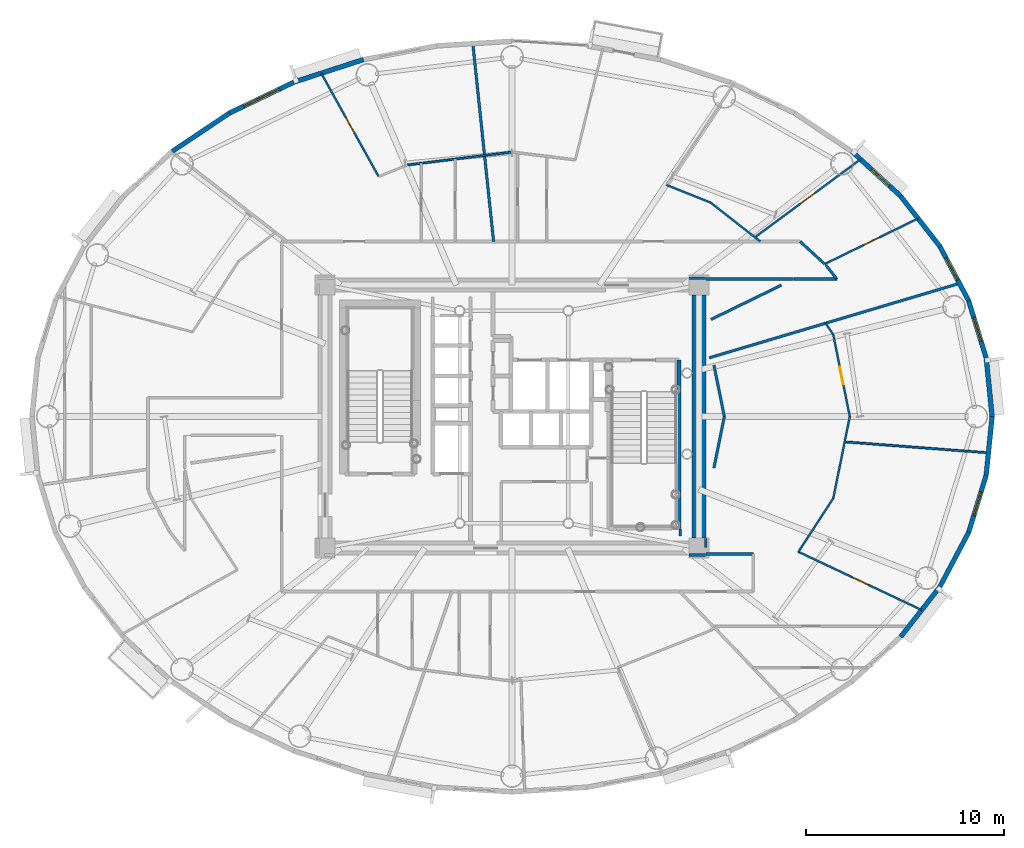
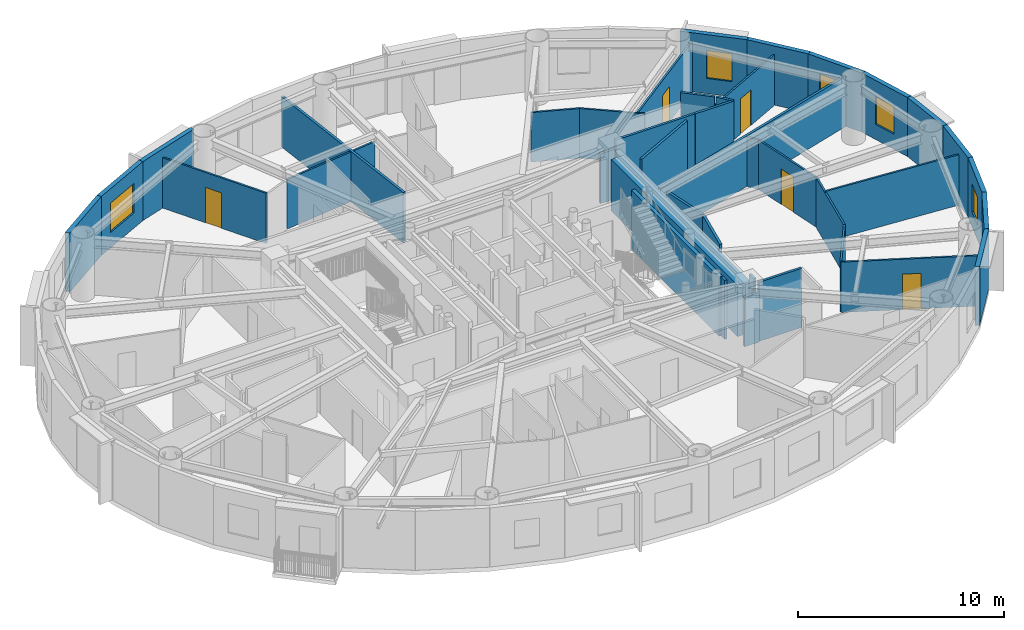
# One storey, part 12 of 20: 40 walls, 5 doors, 5 windows, 10 openings.
"""IFC4 building model written with IfcOpenShell, lengths in metres."""

from ifc_helpers import new_model, si_unit, direction, frame, frame_2d, origin, origin_2d, place, context, subcontext, project, spatial, rectangle, extrude, source, transform, mapped, material, layer, layer_set, type_object, element, fill, save


model = new_model("IFC4")

# Units and contexts
model_context = context("Model", 3, precision=1e-05, world=origin(), true_north=direction((0.0, 1.0)))
body_context = subcontext(model_context, "Body", "Model", "MODEL_VIEW")
ifc_project = project(units=[si_unit("LENGTHUNIT", "METRE"), si_unit("AREAUNIT", "SQUARE_METRE"), si_unit("VOLUMEUNIT", "CUBIC_METRE"), si_unit("PLANEANGLEUNIT", "RADIAN"), si_unit("MASSUNIT", "GRAM", prefix="KILO")], contexts=[model_context])

# Site, building, storey
site_placement = place(None, origin())
site = spatial("IfcSite", under=ifc_project, at=site_placement, CompositionType="ELEMENT")
building_placement = place(site_placement, origin())
building = spatial("IfcBuilding", under=site, at=building_placement, Name="Linh Dai School and Residence Tower", CompositionType="ELEMENT")
storey_placement = place(building_placement, frame((0.0, 0.0, 232.800048828125)))
storey = spatial("IfcBuildingStorey", under=building, at=storey_placement, Name="L57", CompositionType="ELEMENT", Elevation=232.800048828125)

# Wall
ifc_material_1 = material(Name="Precast Concrete B45 (C35/45)", Category="concrete")
ifc_layer_1 = layer(ifc_material_1, 0.239990234375)
ifc_layer_set_1 = layer_set([ifc_layer_1], Name="Precast Concrete B45 (C35/45)")
wall_type_1 = type_object("IfcWallType", Name="EW-TC-240", PredefinedType="SOLIDWALL", material=ifc_layer_set_1)
wall_1_placement = place(storey_placement, frame((59.97705078125, 29.9638671875, 0.0), z_axis=(0.0, 0.0, 1.0), x_axis=(0.099990595253, -0.994988382274, 0.0)))
element("IfcWall", 1, at=wall_1_placement, inside=storey, type_object=wall_type_1, Name="L57 Terracotta Exterior Wall 01", PredefinedType="SOLIDWALL", context=body_context, shape_type="SweptSolid", body=[
    extrude(rectangle(XDim=2.978759765625, YDim=0.239990234375, at=frame_2d((1.4892578125, 0.0))), origin(), (0.0, 0.0, 1.0), 3.5),
])

# Wall, opening, window
wall_2_placement = place(storey_placement, frame((59.09033203125, 32.85595703125, 0.0), z_axis=(0.0, 0.0, 1.0), x_axis=(0.293132907334, -0.95607170162, 0.0)))
wall_2 = element("IfcWall", 2, at=wall_2_placement, inside=storey, type_object=wall_type_1, Name="L57 Terracotta Exterior Wall 02", PredefinedType="SOLIDWALL", context=body_context, shape_type="SweptSolid", body=[
    extrude(rectangle(XDim=3.02490234375, YDim=0.239990234375, at=frame_2d((1.512451171875, 0.0))), origin(), (0.0, 0.0, 1.0), 3.5),
])
opening_1_placement = place(wall_2_placement, frame((0.887451171875, 0.0, 0.89990234375)))
opening_1 = element("IfcOpeningElement", 3, at=opening_1_placement, cuts=wall_2, Name="Opening W3", PredefinedType="OPENING", context=body_context, shape_type="SweptSolid", body=[
    extrude(rectangle(XDim=1.25, YDim=1.64990234375, at=origin_2d()), frame((0.625, 0.1298828125, 0.824951171875), z_axis=(0.0, -1.0, 0.0), x_axis=(1.0, 0.0, 0.0)), (0.0, 0.0, 1.0), 0.260009765625),
])
ifc_material_2 = material(Name="Double Low-E Insulated Glazing", Category="glass")
window_type_1 = type_object("IfcWindowType", Name="WN-RES-1250x1650", PartitioningType="SINGLE_PANEL", PredefinedType="WINDOW", material=ifc_material_2)
shared_shape_1 = source(origin(), body_context, "Body", "SweptSolid", [
    extrude(rectangle(XDim=1.25, YDim=1.64990234375, at=origin_2d()), frame((0.625, 0.030029296875, 0.824951171875), z_axis=(0.0, -1.0, 0.0), x_axis=(1.0, 0.0, 0.0)), (0.0, 0.0, 1.0), 0.06005859375),
])
window_1_placement = place(opening_1_placement, origin())
window_1 = element("IfcWindow", 4, at=window_1_placement, inside=storey, type_object=window_type_1, Name="L57 Dwelling Window U5705-BD2", OverallHeight=1.64990234375, OverallWidth=1.25, PartitioningType="SINGLE_PANEL", PredefinedType="WINDOW", context=body_context, shape_type="MappedRepresentation", body=[
    mapped(shared_shape_1, transform((0.0, 0.0, 0.0), x_axis=(1.0, 0.0, 0.0), y_axis=(0.0, 1.0, 0.0), z_axis=(0.0, 0.0, 1.0), scale=1.0)),
])
fill(opening_1, window_1)

wall_3_placement = place(storey_placement, frame((57.6357421875, 35.605224609375, 0.0), z_axis=(0.0, 0.0, 1.0), x_axis=(0.46766049993, -0.883908172157, 0.0)))
wall_3 = element("IfcWall", 5, at=wall_3_placement, inside=storey, type_object=wall_type_1, Name="L57 Terracotta Exterior Wall 03", PredefinedType="SOLIDWALL", context=body_context, shape_type="SweptSolid", body=[
    extrude(rectangle(XDim=3.1103515625, YDim=0.239990234375, at=frame_2d((1.55517578125, 0.0))), origin(), (0.0, 0.0, 1.0), 3.5),
])
opening_2_placement = place(wall_3_placement, frame((0.663818359375, 0.0, 0.89990234375)))
opening_2 = element("IfcOpeningElement", 6, at=opening_2_placement, cuts=wall_3, Name="Opening W3", PredefinedType="OPENING", context=body_context, shape_type="SweptSolid", body=[
    extrude(rectangle(XDim=1.25, YDim=1.64990234375, at=origin_2d()), frame((0.625, 0.1298828125, 0.824951171875), z_axis=(0.0, -1.0, 0.0), x_axis=(1.0, 0.0, 0.0)), (0.0, 0.0, 1.0), 0.260009765625),
])
window_2_placement = place(opening_2_placement, origin())
window_2 = element("IfcWindow", 7, at=window_2_placement, inside=storey, type_object=window_type_1, Name="L57 Dwelling Window U5706-BD1", OverallHeight=1.64990234375, OverallWidth=1.25, PartitioningType="SINGLE_PANEL", PredefinedType="WINDOW", context=body_context, shape_type="MappedRepresentation", body=[
    mapped(shared_shape_1, transform((0.0, 0.0, 0.0), x_axis=(1.0, 0.0, 0.0), y_axis=(0.0, 1.0, 0.0), z_axis=(0.0, 0.0, 1.0), scale=1.0)),
])
fill(opening_2, window_2)

# Wall
wall_4_placement = place(storey_placement, frame((55.6484375, 38.14453125, 0.0), z_axis=(0.0, 0.0, 1.0), x_axis=(0.616312344705, -0.787501805562, 0.0)))
element("IfcWall", 8, at=wall_4_placement, inside=storey, type_object=wall_type_1, Name="L57 Terracotta Exterior Wall 04", PredefinedType="SOLIDWALL", context=body_context, shape_type="SweptSolid", body=[
    extrude(rectangle(XDim=3.224609375, YDim=0.239990234375, at=frame_2d((1.6123046875, 0.0))), origin(), (0.0, 0.0, 1.0), 3.5),
])

# Wall, opening, window
wall_5_placement = place(storey_placement, frame((53.17626953125, 40.410888671875, 0.0), z_axis=(0.0, 0.0, 1.0), x_axis=(0.737123922599, -0.675757591694, 0.0)))
wall_5 = element("IfcWall", 9, at=wall_5_placement, inside=storey, type_object=wall_type_1, Name="L57 Terracotta Exterior Wall 05", PredefinedType="SOLIDWALL", context=body_context, shape_type="SweptSolid", body=[
    extrude(rectangle(XDim=3.353759765625, YDim=0.239990234375, at=frame_2d((1.6767578125, 0.0))), origin(), (0.0, 0.0, 1.0), 3.5),
])
opening_3_placement = place(wall_5_placement, frame((1.3359375, 0.0, 0.89990234375)))
opening_3 = element("IfcOpeningElement", 10, at=opening_3_placement, cuts=wall_5, Name="Opening W3", PredefinedType="OPENING", context=body_context, shape_type="SweptSolid", body=[
    extrude(rectangle(XDim=1.25, YDim=1.64990234375, at=origin_2d()), frame((0.625, 0.1298828125, 0.824951171875), z_axis=(0.0, -1.0, 0.0), x_axis=(1.0, 0.0, 0.0)), (0.0, 0.0, 1.0), 0.260009765625),
])
window_3_placement = place(opening_3_placement, origin())
window_3 = element("IfcWindow", 11, at=window_3_placement, inside=storey, type_object=window_type_1, Name="L57 Exterior Window 05.1", OverallHeight=1.64990234375, OverallWidth=1.25, PartitioningType="SINGLE_PANEL", PredefinedType="WINDOW", context=body_context, shape_type="MappedRepresentation", body=[
    mapped(shared_shape_1, transform((0.0, 0.0, 0.0), x_axis=(1.0, 0.0, 0.0), y_axis=(0.0, 1.0, 0.0), z_axis=(0.0, 0.0, 1.0), scale=1.0)),
])
fill(opening_3, window_3)

# Wall
wall_6_placement = place(storey_placement, frame((24.968994140625, 43.906494140625, 0.0), z_axis=(0.0, 0.0, 1.0), x_axis=(0.951210789182, 0.308541787354, 0.0)))
element("IfcWall", 12, at=wall_6_placement, inside=storey, type_object=wall_type_1, Name="L57 Terracotta Exterior Wall 13", PredefinedType="SOLIDWALL", context=body_context, shape_type="SweptSolid", body=[
    extrude(rectangle(XDim=3.702392578125, YDim=0.239990234375, at=frame_2d((1.85107421875, 0.0))), origin(), (0.0, 0.0, 1.0), 3.5),
])

# Wall, opening, window
wall_7_placement = place(storey_placement, frame((21.719970703125, 42.34765625, 0.0), z_axis=(0.0, 0.0, 1.0), x_axis=(0.901598104751, 0.432574684313, 0.0)))
wall_7 = element("IfcWall", 13, at=wall_7_placement, inside=storey, type_object=wall_type_1, Name="L57 Terracotta Exterior Wall 14", PredefinedType="SOLIDWALL", context=body_context, shape_type="SweptSolid", body=[
    extrude(rectangle(XDim=3.603515625, YDim=0.239990234375, at=frame_2d((1.8017578125, 0.0))), origin(), (0.0, 0.0, 1.0), 3.5),
])
opening_4_placement = place(wall_7_placement, frame((0.802001953125, 0.0, 0.89990234375)))
opening_4 = element("IfcOpeningElement", 14, at=opening_4_placement, cuts=wall_7, Name="Opening W1", PredefinedType="OPENING", context=body_context, shape_type="SweptSolid", body=[
    extrude(rectangle(XDim=2.0, YDim=1.75, at=origin_2d()), frame((1.0, 0.1298828125, 0.875), z_axis=(0.0, -1.0, 0.0), x_axis=(1.0, 0.0, 0.0)), (0.0, 0.0, 1.0), 0.260009765625),
])
window_type_2 = type_object("IfcWindowType", Name="WN-RES-2000x1750", PartitioningType="DOUBLE_PANEL_VERTICAL", PredefinedType="WINDOW", material=ifc_material_2)
shared_shape_2 = source(origin(), body_context, "Body", "SweptSolid", [
    extrude(rectangle(XDim=2.0, YDim=1.75, at=origin_2d()), frame((1.0, 0.030029296875, 0.875), z_axis=(0.0, -1.0, 0.0), x_axis=(1.0, 0.0, 0.0)), (0.0, 0.0, 1.0), 0.06005859375),
])
window_4_placement = place(opening_4_placement, origin())
window_4 = element("IfcWindow", 15, at=window_4_placement, inside=storey, type_object=window_type_2, Name="L57 Exterior Window 14.1", OverallHeight=1.75, OverallWidth=2.0, PartitioningType="DOUBLE_PANEL_VERTICAL", PredefinedType="WINDOW", context=body_context, shape_type="MappedRepresentation", body=[
    mapped(shared_shape_2, transform((0.0, 0.0, 0.0), x_axis=(1.0, 0.0, 0.0), y_axis=(0.0, 1.0, 0.0), z_axis=(0.0, 0.0, 1.0), scale=1.0)),
])
fill(opening_4, window_4)

# Walls
wall_8_placement = place(storey_placement, frame((18.82373046875, 40.410888671875, 0.0), z_axis=(0.0, 0.0, 1.0), x_axis=(0.831262496074, 0.555880079352, 0.0)))
element("IfcWall", 16, at=wall_8_placement, inside=storey, type_object=wall_type_1, Name="L57 Terracotta Exterior Wall 15", PredefinedType="SOLIDWALL", context=body_context, shape_type="SweptSolid", body=[
    extrude(rectangle(XDim=3.484130859375, YDim=0.239990234375, at=frame_2d((1.7421875, 0.0))), origin(), (0.0, 0.0, 1.0), 3.5),
])
wall_9_placement = place(storey_placement, frame((57.6357421875, 18.394775390625, 0.0), z_axis=(0.0, 0.0, 1.0), x_axis=(-0.616312344705, -0.787501805562, 0.0)))
element("IfcWall", 17, at=wall_9_placement, inside=storey, type_object=wall_type_1, Name="L57 Terracotta Exterior Wall 37", PredefinedType="SOLIDWALL", context=body_context, shape_type="SweptSolid", body=[
    extrude(rectangle(XDim=3.224609375, YDim=0.239990234375, at=frame_2d((1.6123046875, 0.0))), origin(), (0.0, 0.0, 1.0), 3.5),
])
wall_10_placement = place(storey_placement, frame((59.09033203125, 21.14404296875, 0.0), z_axis=(0.0, 0.0, 1.0), x_axis=(-0.46766049993, -0.883908172157, 0.0)))
element("IfcWall", 18, at=wall_10_placement, inside=storey, type_object=wall_type_1, Name="L57 Terracotta Exterior Wall 38", PredefinedType="SOLIDWALL", context=body_context, shape_type="SweptSolid", body=[
    extrude(rectangle(XDim=3.1103515625, YDim=0.239990234375, at=frame_2d((1.55517578125, 0.0))), origin(), (0.0, 0.0, 1.0), 3.5),
])

# Wall, opening, window
wall_11_placement = place(storey_placement, frame((59.97705078125, 24.0361328125, 0.0), z_axis=(0.0, 0.0, 1.0), x_axis=(-0.293132907334, -0.95607170162, 0.0)))
wall_11 = element("IfcWall", 19, at=wall_11_placement, inside=storey, type_object=wall_type_1, Name="L57 Terracotta Exterior Wall 39", PredefinedType="SOLIDWALL", context=body_context, shape_type="SweptSolid", body=[
    extrude(rectangle(XDim=3.02490234375, YDim=0.239990234375, at=frame_2d((1.512451171875, 0.0))), origin(), (0.0, 0.0, 1.0), 3.5),
])
opening_5_placement = place(wall_11_placement, frame((0.887451171875, 0.0, 0.89990234375)))
opening_5 = element("IfcOpeningElement", 20, at=opening_5_placement, cuts=wall_11, Name="Opening W3", PredefinedType="OPENING", context=body_context, shape_type="SweptSolid", body=[
    extrude(rectangle(XDim=1.25, YDim=1.64990234375, at=origin_2d()), frame((0.625, 0.1298828125, 0.824951171875), z_axis=(0.0, -1.0, 0.0), x_axis=(1.0, 0.0, 0.0)), (0.0, 0.0, 1.0), 0.260009765625),
])
window_5_placement = place(opening_5_placement, origin())
window_5 = element("IfcWindow", 21, at=window_5_placement, inside=storey, type_object=window_type_1, Name="L57 Exterior Window 39.1", OverallHeight=1.64990234375, OverallWidth=1.25, PartitioningType="SINGLE_PANEL", PredefinedType="WINDOW", context=body_context, shape_type="MappedRepresentation", body=[
    mapped(shared_shape_1, transform((0.0, 0.0, 0.0), x_axis=(1.0, 0.0, 0.0), y_axis=(0.0, 1.0, 0.0), z_axis=(0.0, 0.0, 1.0), scale=1.0)),
])
fill(opening_5, window_5)

# Walls
wall_12_placement = place(storey_placement, frame((60.27490234375, 27.0, 0.0), z_axis=(0.0, 0.0, 1.0), x_axis=(-0.099990595253, -0.994988382274, 0.0)))
element("IfcWall", 22, at=wall_12_placement, inside=storey, type_object=wall_type_1, Name="L57 Terracotta Exterior Wall 40", PredefinedType="SOLIDWALL", context=body_context, shape_type="SweptSolid", body=[
    extrude(rectangle(XDim=2.978759765625, YDim=0.239990234375, at=frame_2d((1.4892578125, 0.0))), origin(), (0.0, 0.0, 1.0), 3.5),
])
ifc_material_3 = material(Name="Autoclaved Aerated Concrete Blockwork", Category="masonry")
ifc_layer_2 = layer(ifc_material_3, 0.135009765625)
ifc_layer_set_2 = layer_set([ifc_layer_2], Name="Autoclaved Aerated Concrete Blockwork")
wall_type_2 = type_object("IfcWallType", Name="IW-CORR-135-EI90", PredefinedType="PARTITIONING", material=ifc_layer_set_2)
wall_13_placement = place(storey_placement, frame((34.017333984375, 45.86279296875, 0.0), z_axis=(0.0, 0.0, 1.0), x_axis=(0.104537097471, -0.994520987839, 0.0)))
element("IfcWall", 23, at=wall_13_placement, inside=storey, type_object=wall_type_2, Name="L57 Interior Partition Wall 044", PredefinedType="PARTITIONING", context=body_context, shape_type="SweptSolid", body=[
    extrude(rectangle(XDim=10.068115234375, YDim=0.135009765625, at=frame_2d((5.0341796875, 0.0))), origin(), (0.0, 0.0, 1.0), 2.98486328125),
])
wall_14_placement = place(storey_placement, frame((45.800048828125, 20.050048828125, 0.0), z_axis=(0.0, 0.0, 1.0), x_axis=(1.0, 0.0, 0.0)))
element("IfcWall", 24, at=wall_14_placement, inside=storey, type_object=wall_type_2, Name="L57 Interior Partition Wall 079", PredefinedType="PARTITIONING", context=body_context, shape_type="SweptSolid", body=[
    extrude(rectangle(XDim=2.39990234375, YDim=0.135009765625, at=frame_2d((1.199951171875, 0.0))), origin(), (0.0, 0.0, 1.0), 3.5),
])
wall_15_placement = place(storey_placement, frame((45.970458984375, 29.966552734375, 0.0), z_axis=(0.0, 0.0, 1.0), x_axis=(0.958474934199, 0.285176788174, 0.0)))
element("IfcWall", 25, at=wall_15_placement, inside=storey, type_object=wall_type_2, Name="L57 Interior Partition Wall 080", PredefinedType="PARTITIONING", context=body_context, shape_type="SweptSolid", body=[
    extrude(rectangle(XDim=13.209716796875, YDim=0.135009765625, at=frame_2d((6.60498046875, 0.0))), origin(), (0.0, 0.0, 1.0), 2.98486328125),
])
wall_16_placement = place(storey_placement, frame((50.25146484375, 33.949951171875, 0.0), z_axis=(0.0, 0.0, 1.0), x_axis=(1.0, 0.0, 0.0)))
element("IfcWall", 26, at=wall_16_placement, inside=storey, type_object=wall_type_2, Name="L57 Interior Partition Wall 088", PredefinedType="PARTITIONING", context=body_context, shape_type="SweptSolid", body=[
    extrude(rectangle(XDim=2.17236328125, YDim=0.135009765625, at=frame_2d((1.086181640625, 0.0))), origin(), (0.0, 0.0, 1.0), 3.5),
])
wall_17_placement = place(storey_placement, frame((50.56787109375, 35.85009765625, 0.0), z_axis=(0.0, 0.0, 1.0), x_axis=(0.737130103714, -0.675750849202, 0.0)))
element("IfcWall", 27, at=wall_17_placement, inside=storey, type_object=wall_type_2, Name="L57 Interior Partition Wall 091", PredefinedType="PARTITIONING", context=body_context, shape_type="SweptSolid", body=[
    extrude(rectangle(XDim=1.6865234375, YDim=0.135009765625, at=frame_2d((0.84326171875, 0.0))), origin(), (0.0, 0.0, 1.0), 3.5),
])
wall_18_placement = place(storey_placement, frame((51.873779296875, 34.65283203125, 0.0), z_axis=(0.0, 0.0, 1.0), x_axis=(0.61628613448, -0.787522317429, 0.0)))
element("IfcWall", 28, at=wall_18_placement, inside=storey, type_object=wall_type_2, Name="L57 Interior Partition Wall 094", PredefinedType="PARTITIONING", context=body_context, shape_type="SweptSolid", body=[
    extrude(rectangle(XDim=0.892578125, YDim=0.135009765625, at=frame_2d((0.4462890625, 0.0))), origin(), (0.0, 0.0, 1.0), 3.5),
])
wall_19_placement = place(storey_placement, frame((44.5, 20.9599609375, 0.0), z_axis=(0.0, 0.0, 1.0), x_axis=(0.0, 1.0, 0.0)))
element("IfcWall", 29, at=wall_19_placement, inside=storey, type_object=wall_type_2, Name="L57 Interior Partition Wall 102", PredefinedType="PARTITIONING", context=body_context, shape_type="SweptSolid", body=[
    extrude(rectangle(XDim=0.360107421875, YDim=0.135009765625, at=frame_2d((0.18017578125, 0.0))), origin(), (0.0, 0.0, 1.0), 3.5),
])
wall_20_placement = place(storey_placement, frame((50.241455078125, 33.949951171875, 0.0), z_axis=(0.0, 0.0, 1.0), x_axis=(-1.0, 0.0, 0.0)))
element("IfcWall", 30, at=wall_20_placement, inside=storey, type_object=wall_type_2, Name="L57 Interior Partition Wall 105", PredefinedType="PARTITIONING", context=body_context, shape_type="SweptSolid", body=[
    extrude(rectangle(XDim=4.44140625, YDim=0.135009765625, at=frame_2d((2.220703125, 0.0))), origin(), (0.0, 0.0, 1.0), 3.5),
])
for number, where, z_axis, x_axis, name in (
    (31, (45.7900390625, 34.0, 0.0), (0.0, 0.0, 1.0), (-1.0, 0.0, 0.0), "L57 Interior Partition Wall 106"),
    (32, (44.9599609375, 20.0, 0.0), (0.0, 0.0, 1.0), (1.0, 0.0, 0.0), "L57 Interior Partition Wall 111"),
):
    element("IfcWall", number, at=place(storey_placement, frame(where, z_axis=z_axis, x_axis=x_axis)), inside=storey, type_object=wall_type_2, Name=name, PredefinedType="PARTITIONING", context=body_context, shape_type="SweptSolid", body=[
        extrude(rectangle(XDim=0.830078125, YDim=0.135009765625, at=frame_2d((0.4150390625, 0.0))), origin(), (0.0, 0.0, 1.0), 2.93505859375),
    ])
wall_21_placement = place(storey_placement, frame((45.800048828125, 20.37744140625, 0.0), z_axis=(0.0, 0.0, 1.0), x_axis=(0.0, 1.0, 0.0)))
element("IfcWall", 33, at=wall_21_placement, inside=storey, type_object=wall_type_2, Name="L57 Interior Partition Wall 115", PredefinedType="PARTITIONING", context=body_context, shape_type="SweptSolid", body=[
    extrude(rectangle(XDim=0.462646484375, YDim=0.135009765625, at=frame_2d((0.2314453125, 0.0))), origin(), (0.0, 0.0, 1.0), 3.5),
])
for number, where, z_axis, x_axis, name in (
    (34, (46.21044921875, 24.40234375, 0.0), (0.0, 0.0, 1.0), (0.198330009585, 0.980135300506, 0.0), "L57 Interior Partition Wall 116"),
    (35, (46.736083984375, 27.0, 0.0), (0.0, 0.0, 1.0), (-0.198330009585, 0.980135300506, 0.0), "L57 Interior Partition Wall 117"),
):
    element("IfcWall", number, at=place(storey_placement, frame(where, z_axis=z_axis, x_axis=x_axis)), inside=storey, type_object=wall_type_2, Name=name, PredefinedType="PARTITIONING", context=body_context, shape_type="SweptSolid", body=[
        extrude(rectangle(XDim=2.650390625, YDim=0.135009765625, at=frame_2d((1.3251953125, 0.0))), origin(), (0.0, 0.0, 1.0), 2.93505859375),
    ])
wall_22_placement = place(storey_placement, frame((46.06005859375, 31.906005859375, 0.0), z_axis=(0.0, 0.0, 1.0), x_axis=(0.898819963923, 0.438318003797, 0.0)))
element("IfcWall", 36, at=wall_22_placement, inside=storey, type_object=wall_type_2, Name="L57 Interior Partition Wall 118", PredefinedType="PARTITIONING", context=body_context, shape_type="SweptSolid", body=[
    extrude(rectangle(XDim=3.9619140625, YDim=0.135009765625, at=frame_2d((1.98095703125, 0.0))), origin(), (0.0, 0.0, 1.0), 3.5),
])
ifc_material_4 = material(Name="Concrete B45 (C35/45)", Category="concrete")
ifc_layer_3 = layer(ifc_material_4, 0.199951171875)
ifc_layer_set_3 = layer_set([ifc_layer_3], Name="Concrete B45 (C35/45)")
wall_type_3 = type_object("IfcWallType", Name="IW-SHAFT-200-EI120", PredefinedType="PARTITIONING", material=ifc_layer_set_3)
wall_23_placement = place(storey_placement, frame((44.43994140625, 21.330078125, 0.0), z_axis=(0.0, 0.0, 1.0), x_axis=(0.0, 1.0, 0.0)))
element("IfcWall", 37, at=wall_23_placement, inside=storey, type_object=wall_type_3, Name="L57 Interior Partition Wall 077", PredefinedType="PARTITIONING", context=body_context, shape_type="SweptSolid", body=[
    extrude(rectangle(XDim=8.52001953125, YDim=0.199951171875, at=frame_2d((4.260009765625, 0.0))), origin(), (0.0, 0.0, 1.0), 3.5),
])

# Wall, opening, door
ifc_material_5 = material(Name="Gypsum Plasterboard Acoustic Stud Partition", Category="masonry")
ifc_layer_4 = layer(ifc_material_5, 0.10009765625)
ifc_layer_set_4 = layer_set([ifc_layer_4], Name="Gypsum Plasterboard Acoustic Stud Partition")
wall_type_4 = type_object("IfcWallType", Name="IW-UNIT-100", PredefinedType="PARTITIONING", material=ifc_layer_set_4)
wall_24_placement = place(storey_placement, frame((26.352783203125, 44.360595703125, 0.0), z_axis=(0.0, 0.0, 1.0), x_axis=(0.485760805935, -0.874091779745, 0.0)))
wall_24 = element("IfcWall", 38, at=wall_24_placement, inside=storey, type_object=wall_type_4, Name="L57 Interior Partition Wall 024", PredefinedType="PARTITIONING", context=body_context, shape_type="SweptSolid", body=[
    extrude(rectangle(XDim=5.978759765625, YDim=0.10009765625, at=frame_2d((2.9892578125, 0.0))), origin(), (0.0, 0.0, 1.0), 2.98486328125),
])
opening_6_placement = place(wall_24_placement, frame((2.539306640625, 0.0, 0.0)))
opening_6 = element("IfcOpeningElement", 39, at=opening_6_placement, cuts=wall_24, Name="Opening D05", PredefinedType="OPENING", context=body_context, shape_type="SweptSolid", body=[
    extrude(rectangle(XDim=0.89990234375, YDim=2.10009765625, at=origin_2d()), frame((0.449951171875, 0.06005859375, 1.050048828125), z_axis=(0.0, -1.0, 0.0), x_axis=(1.0, 0.0, 0.0)), (0.0, 0.0, 1.0), 0.1201171875),
])
ifc_material_6 = material(Name="Engineered Timber Internal Door", Category="wood")
door_type = type_object("IfcDoorType", Name="DR-INT-900x2100", OperationType="NOTDEFINED", PredefinedType="DOOR", material=ifc_material_6)
shared_shape_3 = source(origin(), body_context, "Body", "SweptSolid", [
    extrude(rectangle(XDim=0.89990234375, YDim=2.10009765625, at=origin_2d()), frame((0.449951171875, 0.02490234375, 1.050048828125), z_axis=(0.0, -1.0, 0.0), x_axis=(1.0, 0.0, 0.0)), (0.0, 0.0, 1.0), 0.050048828125),
])
door_1_placement = place(opening_6_placement, origin())
door_1 = element("IfcDoor", 40, at=door_1_placement, inside=storey, type_object=door_type, Name="L57 Apartment U5701 Bedroom 1 Door", OperationType="SINGLE_SWING_LEFT", OverallHeight=2.10009765625, OverallWidth=0.89990234375, PredefinedType="DOOR", context=body_context, shape_type="MappedRepresentation", body=[
    mapped(shared_shape_3, transform((0.0, 0.0, 0.0), x_axis=(1.0, 0.0, 0.0), y_axis=(0.0, 1.0, 0.0), z_axis=(0.0, 0.0, 1.0), scale=1.0)),
])
fill(opening_6, door_1)

# Walls
wall_25_placement = place(storey_placement, frame((30.721923828125, 39.718994140625, 0.0), z_axis=(0.0, 0.0, 1.0), x_axis=(0.992397473883, 0.123074180196, 0.0)))
element("IfcWall", 41, at=wall_25_placement, inside=storey, type_object=wall_type_4, Name="L57 Interior Partition Wall 031", PredefinedType="PARTITIONING", context=body_context, shape_type="SweptSolid", body=[
    extrude(rectangle(XDim=5.318359375, YDim=0.10009765625, at=frame_2d((2.6591796875, 0.0))), origin(), (0.0, 0.0, 1.0), 2.93505859375),
])
wall_26_placement = place(storey_placement, frame((43.8125, 38.707763671875, 0.0), z_axis=(0.0, 0.0, 1.0), x_axis=(0.928806399166, -0.370565342239, 0.0)))
element("IfcWall", 42, at=wall_26_placement, inside=storey, type_object=wall_type_4, Name="L57 Interior Partition Wall 075", PredefinedType="PARTITIONING", context=body_context, shape_type="SweptSolid", body=[
    extrude(rectangle(XDim=2.3974609375, YDim=0.10009765625, at=frame_2d((1.19873046875, 0.0))), origin(), (0.0, 0.0, 1.0), 2.93505859375),
])
wall_27_placement = place(storey_placement, frame((46.039306640625, 37.8193359375, 0.0), z_axis=(0.0, 0.0, 1.0), x_axis=(0.787364681479, -0.616487516791, 0.0)))
element("IfcWall", 43, at=wall_27_placement, inside=storey, type_object=wall_type_4, Name="L57 Interior Partition Wall 082", PredefinedType="PARTITIONING", context=body_context, shape_type="SweptSolid", body=[
    extrude(rectangle(XDim=3.194580078125, YDim=0.10009765625, at=frame_2d((1.59716796875, 0.0))), origin(), (0.0, 0.0, 1.0), 2.93505859375),
])

# Wall, opening, door
wall_28_placement = place(storey_placement, frame((48.281494140625, 36.063720703125, 0.0), z_axis=(0.0, 0.0, 1.0), x_axis=(0.804612975085, 0.593799596097, 0.0)))
wall_28 = element("IfcWall", 44, at=wall_28_placement, inside=storey, type_object=wall_type_4, Name="L57 Interior Partition Wall 087", PredefinedType="PARTITIONING", context=body_context, shape_type="SweptSolid", body=[
    extrude(rectangle(XDim=6.640380859375, YDim=0.10009765625, at=frame_2d((3.3203125, 0.0))), origin(), (0.0, 0.0, 1.0), 2.98486328125),
])
opening_7_placement = place(wall_28_placement, frame((2.8701171875, 0.0, 0.0)))
opening_7 = element("IfcOpeningElement", 45, at=opening_7_placement, cuts=wall_28, Name="Opening D05", PredefinedType="OPENING", context=body_context, shape_type="SweptSolid", body=[
    extrude(rectangle(XDim=0.89990234375, YDim=2.10009765625, at=origin_2d()), frame((0.449951171875, 0.06005859375, 1.050048828125), z_axis=(0.0, -1.0, 0.0), x_axis=(1.0, 0.0, 0.0)), (0.0, 0.0, 1.0), 0.1201171875),
])
door_2_placement = place(opening_7_placement, origin())
door_2 = element("IfcDoor", 46, at=door_2_placement, inside=storey, type_object=door_type, Name="L57 Apartment U5706 Study Door", OperationType="SINGLE_SWING_LEFT", OverallHeight=2.10009765625, OverallWidth=0.89990234375, PredefinedType="DOOR", context=body_context, shape_type="MappedRepresentation", body=[
    mapped(shared_shape_3, transform((0.0, 0.0, 0.0), x_axis=(1.0, 0.0, 0.0), y_axis=(0.0, 1.0, 0.0), z_axis=(0.0, 0.0, 1.0), scale=1.0)),
])
fill(opening_7, door_2)

# Wall
wall_29_placement = place(storey_placement, frame((50.482421875, 20.16015625, 0.0), z_axis=(0.0, 0.0, 1.0), x_axis=(0.545421330779, 0.838162020096, 0.0)))
element("IfcWall", 47, at=wall_29_placement, inside=storey, type_object=wall_type_4, Name="L57 Interior Partition Wall 089", PredefinedType="PARTITIONING", context=body_context, shape_type="SweptSolid", body=[
    extrude(rectangle(XDim=3.22998046875, YDim=0.10009765625, at=frame_2d((1.614990234375, 0.0))), origin(), (0.0, 0.0, 1.0), 2.93505859375),
])

# Wall, opening, door
wall_30_placement = place(storey_placement, frame((50.482421875, 20.16015625, 0.0), z_axis=(0.0, 0.0, 1.0), x_axis=(0.904207257568, -0.42709394208, 0.0)))
wall_30 = element("IfcWall", 48, at=wall_30_placement, inside=storey, type_object=wall_type_4, Name="L57 Interior Partition Wall 090", PredefinedType="PARTITIONING", context=body_context, shape_type="SweptSolid", body=[
    extrude(rectangle(XDim=6.896728515625, YDim=0.10009765625, at=frame_2d((3.4482421875, 0.0))), origin(), (0.0, 0.0, 1.0), 2.98486328125),
])
opening_8_placement = place(wall_30_placement, frame((2.998291015625, 0.0, 0.0)))
opening_8 = element("IfcOpeningElement", 49, at=opening_8_placement, cuts=wall_30, Name="Opening D05", PredefinedType="OPENING", context=body_context, shape_type="SweptSolid", body=[
    extrude(rectangle(XDim=0.89990234375, YDim=2.10009765625, at=origin_2d()), frame((0.449951171875, 0.06005859375, 1.050048828125), z_axis=(0.0, -1.0, 0.0), x_axis=(1.0, 0.0, 0.0)), (0.0, 0.0, 1.0), 0.1201171875),
])
door_3_placement = place(opening_8_placement, origin())
door_3 = element("IfcDoor", 50, at=door_3_placement, inside=storey, type_object=door_type, Name="L57 Apartment U5705 Principal Bedroom 1 Door", OperationType="SINGLE_SWING_LEFT", OverallHeight=2.10009765625, OverallWidth=0.89990234375, PredefinedType="DOOR", context=body_context, shape_type="MappedRepresentation", body=[
    mapped(shared_shape_3, transform((0.0, 0.0, 0.0), x_axis=(1.0, 0.0, 0.0), y_axis=(0.0, 1.0, 0.0), z_axis=(0.0, 0.0, 1.0), scale=1.0)),
])
fill(opening_8, door_3)

wall_31_placement = place(storey_placement, frame((51.81103515625, 34.71044921875, 0.0), z_axis=(0.0, 0.0, 1.0), x_axis=(0.89880279574, 0.438353207322, 0.0)))
wall_31 = element("IfcWall", 51, at=wall_31_placement, inside=storey, type_object=wall_type_4, Name="L57 Interior Partition Wall 092", PredefinedType="PARTITIONING", context=body_context, shape_type="SweptSolid", body=[
    extrude(rectangle(XDim=5.25927734375, YDim=0.10009765625, at=frame_2d((2.629638671875, 0.0))), origin(), (0.0, 0.0, 1.0), 2.98486328125),
])
opening_9_placement = place(wall_31_placement, frame((2.1796875, 0.0, 0.0)))
opening_9 = element("IfcOpeningElement", 52, at=opening_9_placement, cuts=wall_31, Name="Opening D05", PredefinedType="OPENING", context=body_context, shape_type="SweptSolid", body=[
    extrude(rectangle(XDim=0.89990234375, YDim=2.10009765625, at=origin_2d()), frame((0.449951171875, 0.06005859375, 1.050048828125), z_axis=(0.0, -1.0, 0.0), x_axis=(1.0, 0.0, 0.0)), (0.0, 0.0, 1.0), 0.1201171875),
])
door_4_placement = place(opening_9_placement, origin())
door_4 = element("IfcDoor", 53, at=door_4_placement, inside=storey, type_object=door_type, Name="L57 Apartment U5706 Principal Bedroom 1 Door", OperationType="SINGLE_SWING_LEFT", OverallHeight=2.10009765625, OverallWidth=0.89990234375, PredefinedType="DOOR", context=body_context, shape_type="MappedRepresentation", body=[
    mapped(shared_shape_3, transform((0.0, 0.0, 0.0), x_axis=(1.0, 0.0, 0.0), y_axis=(0.0, 1.0, 0.0), z_axis=(0.0, 0.0, 1.0), scale=1.0)),
])
fill(opening_9, door_4)

# Walls
wall_32_placement = place(storey_placement, frame((51.862060546875, 31.719482421875, 0.0), z_axis=(0.0, 0.0, 1.0), x_axis=(0.545576382868, -0.838061101863, 0.0)))
element("IfcWall", 54, at=wall_32_placement, inside=storey, type_object=wall_type_4, Name="L57 Interior Partition Wall 093", PredefinedType="PARTITIONING", context=body_context, shape_type="SweptSolid", body=[
    extrude(rectangle(XDim=0.700439453125, YDim=0.10009765625, at=frame_2d((0.35009765625, 0.0))), origin(), (0.0, 0.0, 1.0), 2.93505859375),
])
wall_33_placement = place(storey_placement, frame((52.244140625, 22.867431640625, 0.0), z_axis=(0.0, 0.0, 1.0), x_axis=(0.198276062883, 0.980146215056, 0.0)))
element("IfcWall", 55, at=wall_33_placement, inside=storey, type_object=wall_type_4, Name="L57 Interior Partition Wall 095", PredefinedType="PARTITIONING", context=body_context, shape_type="SweptSolid", body=[
    extrude(rectangle(XDim=4.216064453125, YDim=0.10009765625, at=frame_2d((2.10791015625, 0.0))), origin(), (0.0, 0.0, 1.0), 2.93505859375),
])

# Wall, opening, door
wall_34_placement = place(storey_placement, frame((52.244140625, 31.132568359375, 0.0), z_axis=(0.0, 0.0, 1.0), x_axis=(0.198264809747, -0.980148491411, 0.0)))
wall_34 = element("IfcWall", 56, at=wall_34_placement, inside=storey, type_object=wall_type_4, Name="L57 Interior Partition Wall 096", PredefinedType="PARTITIONING", context=body_context, shape_type="SweptSolid", body=[
    extrude(rectangle(XDim=4.21630859375, YDim=0.10009765625, at=frame_2d((2.108154296875, 0.0))), origin(), (0.0, 0.0, 1.0), 2.93505859375),
])
opening_10_placement = place(wall_34_placement, frame((1.658203125, 0.0, 0.0)))
opening_10 = element("IfcOpeningElement", 57, at=opening_10_placement, cuts=wall_34, Name="Opening D05", PredefinedType="OPENING", context=body_context, shape_type="SweptSolid", body=[
    extrude(rectangle(XDim=0.89990234375, YDim=2.10009765625, at=origin_2d()), frame((0.449951171875, 0.06005859375, 1.050048828125), z_axis=(0.0, -1.0, 0.0), x_axis=(1.0, 0.0, 0.0)), (0.0, 0.0, 1.0), 0.1201171875),
])
door_5_placement = place(opening_10_placement, origin())
door_5 = element("IfcDoor", 58, at=door_5_placement, inside=storey, type_object=door_type, Name="L57 Apartment U5705 Principal Bedroom 2 Door", OperationType="SINGLE_SWING_RIGHT", OverallHeight=2.10009765625, OverallWidth=0.89990234375, PredefinedType="DOOR", context=body_context, shape_type="MappedRepresentation", body=[
    mapped(shared_shape_3, transform((0.0, 0.0, 0.0), x_axis=(1.0, 0.0, 0.0), y_axis=(0.0, 1.0, 0.0), z_axis=(0.0, 0.0, 1.0), scale=1.0)),
])
fill(opening_10, door_5)

# Walls
wall_35_placement = place(storey_placement, frame((52.82080078125, 25.71875, 0.0), z_axis=(0.0, 0.0, 1.0), x_axis=(0.997110709209, -0.075962053559, 0.0)))
element("IfcWall", 59, at=wall_35_placement, inside=storey, type_object=wall_type_4, Name="L57 Interior Partition Wall 097", PredefinedType="PARTITIONING", context=body_context, shape_type="SweptSolid", body=[
    extrude(rectangle(XDim=7.295654296875, YDim=0.10009765625, at=frame_2d((3.64794921875, 0.0))), origin(), (0.0, 0.0, 1.0), 2.98486328125),
])
ifc_layer_5 = layer(ifc_material_4, 0.699951171875)
ifc_layer_set_5 = layer_set([ifc_layer_5], Name="Concrete B45 (C35/45)")
wall_type_5 = type_object("IfcWallType", Name="WL-CORE700", PredefinedType="SHEAR", material=ifc_layer_set_5)
wall_36_placement = place(storey_placement, frame((45.449951171875, 33.14990234375, 0.0), z_axis=(0.0, 0.0, 1.0), x_axis=(0.0, -1.0, 0.0)))
element("IfcWall", 60, at=wall_36_placement, inside=storey, type_object=wall_type_5, Name="L57 Central Core Shear Wall E", PredefinedType="SHEAR", context=body_context, shape_type="SweptSolid", body=[
    extrude(rectangle(XDim=12.2998046875, YDim=0.699951171875, at=frame_2d((6.14990234375, 0.0))), origin(), (0.0, 0.0, 1.0), 3.050048828125),
])

save(model, "model.ifc")
